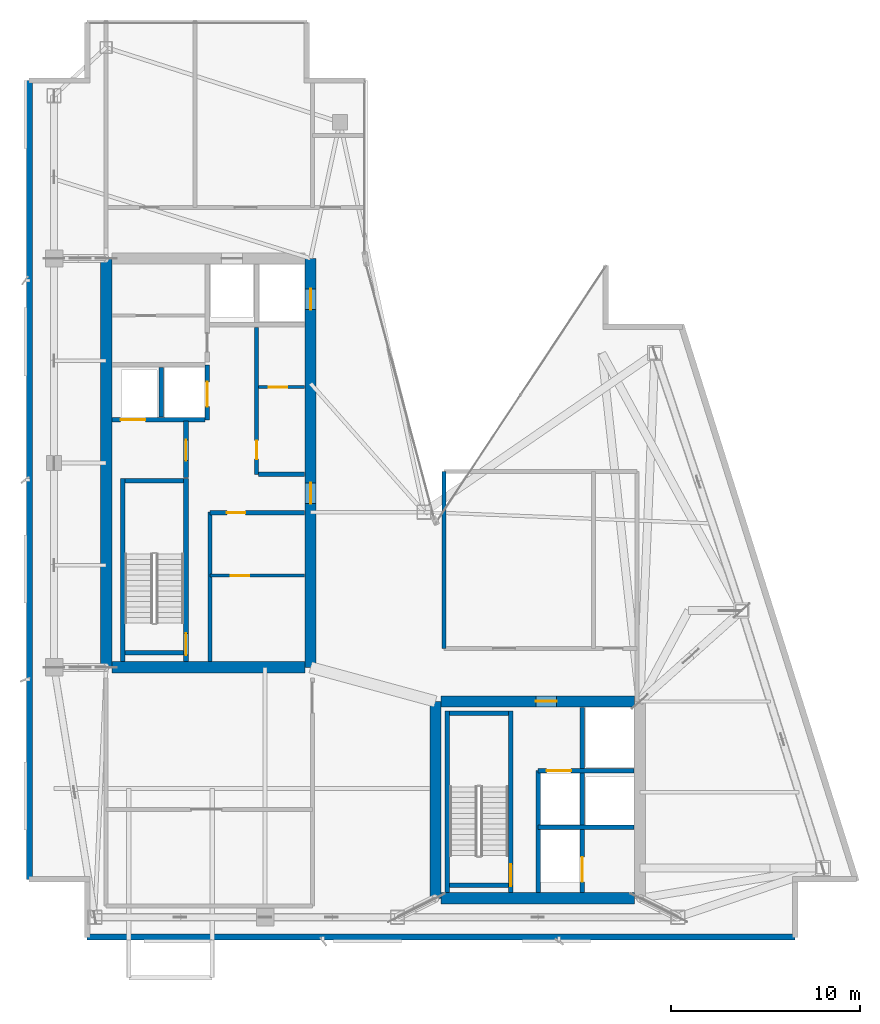
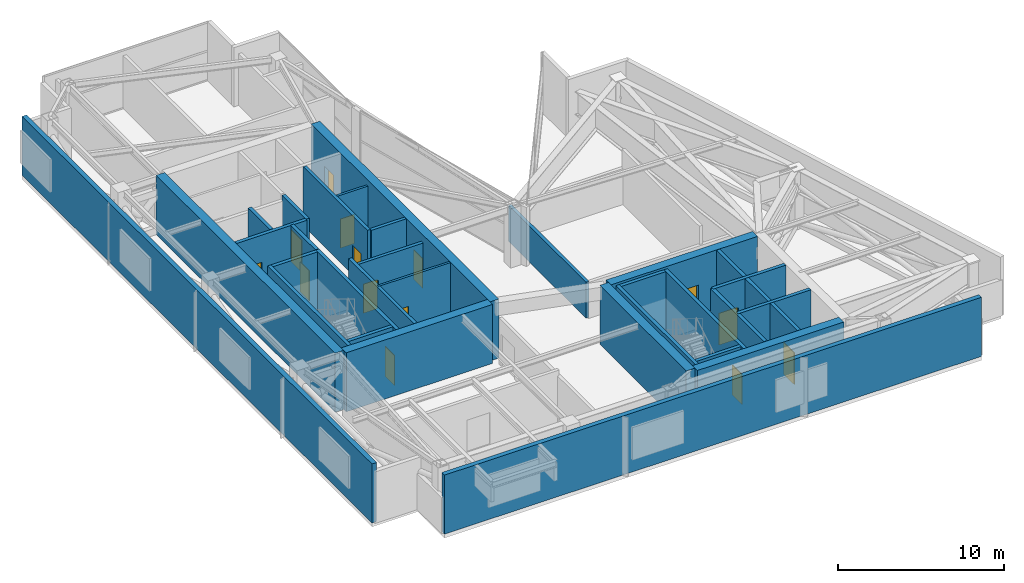
# One storey, part 12 of 15: 31 walls, 14 doors, 14 openings.
"""IFC4 building model written with IfcOpenShell, lengths in metres."""

import ifcopenshell
import ifcopenshell.guid

model = None  # the IFC model being written
_history = None  # IfcOwnerHistory: only IFC2X3 demands one
_inside = {}  # id of a spatial element -> (the spatial element, [elements in it])
_under = {}  # id of a project, library or spatial element -> (it, [spatial elements below it])
_declared = {}  # id of a project -> (the project, [libraries it declares])
_typed = {}  # id of a type object -> (the type object, [elements of that type])
_made_of = {}  # id of a material, layer set ... -> (it, [elements and type objects made of it])


def new_model(schema):
    """Start an empty IFC model of exactly this schema.

    Asked for "IFC4X3", IfcOpenShell would pick the latest addendum, in which some entities
    have other attributes; the version numbers below select the first issue.
    IFC2X3 requires an IfcOwnerHistory on every rooted entity: one is made here for all.
    """
    global model, _history
    if schema == "IFC4X3":
        model = ifcopenshell.file(schema_version=(4, 3, 0, 0))
    else:
        model = ifcopenshell.file(schema=schema)
    _inside.clear()
    _under.clear()
    _declared.clear()
    _typed.clear()
    _made_of.clear()
    _history = None
    if model.schema == "IFC2X3":
        org = make("IfcOrganization", Name="unknown")
        user = make(
            "IfcPersonAndOrganization",
            ThePerson=make("IfcPerson", FamilyName="unknown"),
            TheOrganization=org,
        )
        app = make(
            "IfcApplication",
            ApplicationDeveloper=org,
            Version="unknown",
            ApplicationFullName="unknown",
            ApplicationIdentifier="unknown",
        )
        _history = make(
            "IfcOwnerHistory",
            OwningUser=user,
            OwningApplication=app,
            ChangeAction="ADDED",
            CreationDate=0,
        )
    return model


def make(cls, **values):
    """One entity of the class cls with the attributes given. An attribute that is None is left unset."""
    return model.create_entity(
        cls, **{name: value for name, value in values.items() if value is not None}
    )


def rooted(cls, **values):
    """An entity with a GlobalId (a new one), such as an element, a storey or a relation."""
    return make(cls, GlobalId=ifcopenshell.guid.new(), OwnerHistory=_history, **values)


def si_unit(unit_type, name, prefix=None):
    """IfcSIUnit, for example si_unit("LENGTHUNIT", "METRE", prefix="MILLI")."""
    return make("IfcSIUnit", UnitType=unit_type, Prefix=prefix, Name=name)


def assignment(units):
    """IfcUnitAssignment: the units of a project."""
    return None if units is None else make("IfcUnitAssignment", Units=units)


def point(xyz):
    """IfcCartesianPoint."""
    return None if xyz is None else make("IfcCartesianPoint", Coordinates=xyz)


def direction(xyz):
    """IfcDirection."""
    return None if xyz is None else make("IfcDirection", DirectionRatios=xyz)


def frame(location, z_axis=None, x_axis=None):
    """IfcAxis2Placement3D, a coordinate frame: its origin and axes. An axis left out is left unset."""
    return make(
        "IfcAxis2Placement3D",
        Location=point(location),
        Axis=direction(z_axis),
        RefDirection=direction(x_axis),
    )


def frame_2d(location, x_axis=None):
    """IfcAxis2Placement2D, a coordinate frame in the plane: its origin and x axis."""
    return make(
        "IfcAxis2Placement2D", Location=point(location), RefDirection=direction(x_axis)
    )


def origin():
    """The frame at (0, 0, 0) with its axes left unset."""
    return frame((0.0, 0.0, 0.0))


def place(relative_to, where):
    """IfcLocalPlacement: puts the frame where relative to a parent placement (None: the world)."""
    return make(
        "IfcLocalPlacement", PlacementRelTo=relative_to, RelativePlacement=where
    )


def context(
    kind, dimensions, precision=None, world=None, true_north=None, identifier=None
):
    """IfcGeometricRepresentationContext, for example the 3D "Model" context."""
    return make(
        "IfcGeometricRepresentationContext",
        ContextIdentifier=identifier,
        ContextType=kind,
        CoordinateSpaceDimension=dimensions,
        Precision=precision,
        WorldCoordinateSystem=world,
        TrueNorth=true_north,
    )


def subcontext(parent, identifier, kind, view, scale=None):
    """IfcGeometricRepresentationSubContext, for example "Body" below "Model"."""
    return make(
        "IfcGeometricRepresentationSubContext",
        ContextIdentifier=identifier,
        ContextType=kind,
        ParentContext=parent,
        TargetScale=scale,
        TargetView=view,
    )


def project(units=None, contexts=None):
    """IfcProject with its units and contexts."""
    return rooted(
        "IfcProject",
        Name="project",
        RepresentationContexts=contexts,
        UnitsInContext=assignment(units),
    )


def spatial(cls, under=None, at=None, **own):
    """A site, building, storey or space (cls), placed at a placement, below another one or the project."""
    s = rooted(cls, ObjectPlacement=at, **own)
    if under is not None:
        _under.setdefault(under.id(), (under, []))[1].append(s)
    return s


def profile(cls, at=None, kind="AREA", **sizes):
    """A parametric profile (cls). Its sizes go by their IFC names, for example OverallWidth=200.0."""
    return make(cls, ProfileType=kind, Position=at, **sizes)


def rectangle(**sizes):
    """IfcRectangleProfileDef."""
    return profile("IfcRectangleProfileDef", **sizes)


def extrude(swept, where, along, depth):
    """IfcExtrudedAreaSolid: the profile swept, set in the frame where, extruded along a direction by depth."""
    return make(
        "IfcExtrudedAreaSolid",
        SweptArea=swept,
        Position=where,
        ExtrudedDirection=direction(along),
        Depth=depth,
    )


def shape(context_of_items, identifier, shape_type, items):
    """IfcShapeRepresentation: the items that make up one representation, for example the "Body"."""
    return make(
        "IfcShapeRepresentation",
        ContextOfItems=context_of_items,
        RepresentationIdentifier=identifier,
        RepresentationType=shape_type,
        Items=items,
    )


def material(Name=None, Category=None):
    """IfcMaterial."""
    return make("IfcMaterial", Name=Name, Category=Category)


def layer(
    of_material, thickness, ventilated=None, Name=None, Category=None, Priority=None
):
    """IfcMaterialLayer: one layer of a wall or slab, of a material (None: an air gap)."""
    return make(
        "IfcMaterialLayer",
        Material=of_material,
        LayerThickness=thickness,
        IsVentilated=ventilated,
        Name=Name,
        Category=Category,
        Priority=Priority,
    )


def layer_set(layers, Name=None):
    """IfcMaterialLayerSet."""
    return make("IfcMaterialLayerSet", MaterialLayers=layers, LayerSetName=Name)


def made_of(thing, what):
    """Note that an element or type object is made of a material, layer set ...; save() writes the relation."""
    if what is not None:
        _made_of.setdefault(what.id(), (what, []))[1].append(thing)
    return thing


def type_object(cls, material=None, **own):
    """A type object (cls), such as IfcWallType, which elements share."""
    return made_of(rooted(cls, **own), material)


def element(
    cls,
    number,
    at=None,
    inside=None,
    cuts=None,
    type_object=None,
    material=None,
    context=None,
    identifier="Body",
    shape_type=None,
    held_by="IfcProductDefinitionShape",
    body=None,
    shapes=None,
    **own,
):
    """One element of the class cls, such as IfcWall. Its Tag is "e" and its number.

    at: its placement. inside: the storey or other place that contains it. cuts: it is an
    opening in that element (IfcRelVoidsElement). A single representation is given by context,
    identifier, shape_type and body (its items); several are given by shapes. held_by: the class
    of the entity that holds the representations. save() writes the other relations.
    """
    e = rooted(cls, Tag="e%d" % number, ObjectPlacement=at, **own)
    if body is not None:
        shapes = [shape(context, identifier, shape_type, body)]
    if shapes is not None:
        e.Representation = make(held_by, Representations=shapes)
    if inside is not None:
        _inside.setdefault(inside.id(), (inside, []))[1].append(e)
    if cuts is not None:
        rooted(
            "IfcRelVoidsElement", RelatingBuildingElement=cuts, RelatedOpeningElement=e
        )
    if type_object is not None:
        _typed.setdefault(type_object.id(), (type_object, []))[1].append(e)
    return made_of(e, material)


def fill(opening, filler):
    """IfcRelFillsElement: the door or window that sits in an opening."""
    return rooted(
        "IfcRelFillsElement",
        RelatingOpeningElement=opening,
        RelatedBuildingElement=filler,
    )


def aggregate(whole, parts):
    """IfcRelAggregates: a whole, such as a stair, and the parts it consists of."""
    return rooted("IfcRelAggregates", RelatingObject=whole, RelatedObjects=parts)


def save(model, path):
    """Write the relations noted so far, then the file.

    IfcRelAggregates (storeys below a building ...), IfcRelContainedInSpatialStructure (elements
    in a storey), IfcRelDefinesByType, IfcRelAssociatesMaterial and IfcRelDeclares: one each for
    every whole, place, type object, material and project.
    """
    for whole, parts in _under.values():
        aggregate(whole, parts)
    for where, things in _inside.values():
        rooted(
            "IfcRelContainedInSpatialStructure",
            RelatedElements=things,
            RelatingStructure=where,
        )
    for kind, things in _typed.values():
        rooted("IfcRelDefinesByType", RelatedObjects=things, RelatingType=kind)
    for what, things in _made_of.values():
        rooted("IfcRelAssociatesMaterial", RelatedObjects=things, RelatingMaterial=what)
    for by, libraries in _declared.values():
        rooted("IfcRelDeclares", RelatingContext=by, RelatedDefinitions=libraries)
    model.write(path)


model = new_model("IFC4")

# Units and contexts
model_context = context("Model", 3, precision=1e-05, world=origin(), true_north=direction((0.0, 1.0)))
body_context = subcontext(model_context, "Body", "Model", "MODEL_VIEW")
ifc_project = project(units=[si_unit("LENGTHUNIT", "METRE"), si_unit("AREAUNIT", "SQUARE_METRE"), si_unit("VOLUMEUNIT", "CUBIC_METRE"), si_unit("PLANEANGLEUNIT", "RADIAN"), si_unit("MASSUNIT", "GRAM", prefix="KILO")], contexts=[model_context])

# Site, building, storey
site_placement = place(None, origin())
site = spatial("IfcSite", under=ifc_project, at=site_placement, CompositionType="ELEMENT")
building_placement = place(site_placement, origin())
building = spatial("IfcBuilding", under=site, at=building_placement, Name="Calvorn Quay Hotel", CompositionType="ELEMENT")
storey_placement = place(building_placement, frame((0.0, 0.0, 282.5)))
storey = spatial("IfcBuildingStorey", under=building, at=storey_placement, Name="L70", CompositionType="ELEMENT", Elevation=282.5)

# Wall
ifc_material_1 = material(Name="Concrete C45", Category="concrete")
ifc_layer_1 = layer(ifc_material_1, 0.60009765625)
ifc_layer_set_1 = layer_set([ifc_layer_1], Name="WL-CORE-600")
wall_type_1 = type_object("IfcWallType", Name="WL-CORE-600", PredefinedType="SHEAR", material=ifc_layer_set_1)
wall_1_placement = place(storey_placement, frame((4.199951171875, 16.800048828125, 0.0), z_axis=(0.0, 0.0, 1.0), x_axis=(0.0, 1.0, 0.0)))
element("IfcWall", 1, at=wall_1_placement, inside=storey, type_object=wall_type_1, Name="West Core Shear Wall W (L70)", PredefinedType="SHEAR", context=body_context, shape_type="SweptSolid", body=[
    extrude(rectangle(XDim=21.599853515625, YDim=0.60009765625, at=frame_2d((10.7998046875, 0.0))), origin(), (0.0, 0.0, 1.0), 4.35009765625),
])

# Wall, openings, doors
wall_2_placement = place(storey_placement, frame((15.0, 16.800048828125, 0.0), z_axis=(0.0, 0.0, 1.0), x_axis=(0.0, 1.0, 0.0)))
wall_2 = element("IfcWall", 2, at=wall_2_placement, inside=storey, type_object=wall_type_1, Name="West Core Shear Wall E (L70)", PredefinedType="SHEAR", context=body_context, shape_type="SweptSolid", body=[
    extrude(rectangle(XDim=21.599853515625, YDim=0.60009765625, at=frame_2d((10.7998046875, 0.0))), origin(), (0.0, 0.0, 1.0), 4.35009765625),
])
opening_1_placement = place(wall_2_placement, frame((8.64990234375, 0.0, 0.0)))
opening_1 = element("IfcOpeningElement", 3, at=opening_1_placement, cuts=wall_2, Name="Opening D-L70-CW1", PredefinedType="OPENING", context=body_context, shape_type="SweptSolid", body=[
    extrude(rectangle(XDim=1.10009765625, YDim=2.199951171875, at=frame_2d((0.550048828125, 1.10009765625))), frame((0.0, 0.31005859375, 0.0), z_axis=(0.0, -1.0, 0.0), x_axis=(1.0, 0.0, 0.0)), (0.0, 0.0, 1.0), 0.6201171875),
])
opening_2_placement = place(wall_2_placement, frame((18.89990234375, 0.0, 0.0)))
opening_2 = element("IfcOpeningElement", 4, at=opening_2_placement, cuts=wall_2, Name="Opening LD-L70-H1", PredefinedType="OPENING", context=body_context, shape_type="SweptSolid", body=[
    extrude(rectangle(XDim=1.10009765625, YDim=2.199951171875, at=frame_2d((0.550048828125, 1.10009765625))), frame((0.0, 0.31005859375, 0.0), z_axis=(0.0, -1.0, 0.0), x_axis=(1.0, 0.0, 0.0)), (0.0, 0.0, 1.0), 0.6201171875),
])
ifc_material_2 = material(Name="Smoke-Sealed Steel Class A Fire Door", Category="steel")
door_type_1 = type_object("IfcDoorType", Name="DR-FFLOBBY-1100", OperationType="NOTDEFINED", PredefinedType="DOOR", material=ifc_material_2)
door_1_placement = place(opening_1_placement, origin())
door_1 = element("IfcDoor", 5, at=door_1_placement, inside=storey, type_object=door_type_1, Name="West Core Vestibule Fire Door (L70)", OperationType="SINGLE_SWING_LEFT", OverallHeight=2.199951171875, OverallWidth=1.10009765625, PredefinedType="DOOR", context=body_context, shape_type="SweptSolid", body=[
    extrude(rectangle(XDim=1.10009765625, YDim=2.199951171875, at=frame_2d((0.550048828125, 1.10009765625))), frame((0.0, 0.02490234375, 0.0), z_axis=(0.0, -1.0, 0.0), x_axis=(1.0, 0.0, 0.0)), (0.0, 0.0, 1.0), 0.050048828125),
])
fill(opening_1, door_1)
ifc_material_3 = material(Name="Brushed Stainless Steel Sliding Lift Landing Door", Category="steel")
door_type_2 = type_object("IfcDoorType", Name="DR-LIFT-PASS-1100", OperationType="NOTDEFINED", PredefinedType="DOOR", material=ifc_material_3)
door_2_placement = place(opening_2_placement, origin())
door_2 = element("IfcDoor", 6, at=door_2_placement, inside=storey, type_object=door_type_2, Name="High-Rise Lift PL-H1 Landing Door (L70)", OperationType="DOUBLE_DOOR_SLIDING", OverallHeight=2.199951171875, OverallWidth=1.10009765625, PredefinedType="DOOR", context=body_context, shape_type="SweptSolid", body=[
    extrude(rectangle(XDim=1.10009765625, YDim=2.199951171875, at=frame_2d((0.550048828125, 1.10009765625))), frame((0.0, 0.02490234375, 0.0), z_axis=(0.0, -1.0, 0.0), x_axis=(1.0, 0.0, 0.0)), (0.0, 0.0, 1.0), 0.050048828125),
])
fill(opening_2, door_2)

# Walls
wall_3_placement = place(storey_placement, frame((4.5, 16.800048828125, 0.0), z_axis=(0.0, 0.0, 1.0), x_axis=(1.0, 0.0, 0.0)))
element("IfcWall", 7, at=wall_3_placement, inside=storey, type_object=wall_type_1, Name="West Core Shear Wall S (L70)", PredefinedType="SHEAR", context=body_context, shape_type="SweptSolid", body=[
    extrude(rectangle(XDim=10.199951171875, YDim=0.60009765625, at=frame_2d((5.10009765625, 0.0))), origin(), (0.0, 0.0, 1.0), 4.35009765625),
])
wall_4_placement = place(storey_placement, frame((21.60009765625, 4.60009765625, 0.0), z_axis=(0.0, 0.0, 1.0), x_axis=(0.0, 1.0, 0.0)))
element("IfcWall", 8, at=wall_4_placement, inside=storey, type_object=wall_type_1, Name="East Core Shear Wall W (L70)", PredefinedType="SHEAR", context=body_context, shape_type="SweptSolid", body=[
    extrude(rectangle(XDim=10.39990234375, YDim=0.60009765625, at=frame_2d((5.199951171875, 0.0))), origin(), (0.0, 0.0, 1.0), 4.35009765625),
])

# Wall, opening, door
wall_5_placement = place(storey_placement, frame((21.89990234375, 15.0, 0.0), z_axis=(0.0, 0.0, 1.0), x_axis=(1.0, 0.0, 0.0)))
wall_5 = element("IfcWall", 9, at=wall_5_placement, inside=storey, type_object=wall_type_1, Name="East Core Shear Wall N (L70)", PredefinedType="SHEAR", context=body_context, shape_type="SweptSolid", body=[
    extrude(rectangle(XDim=10.2001953125, YDim=0.60009765625, at=frame_2d((5.10009765625, 0.0))), origin(), (0.0, 0.0, 1.0), 4.35009765625),
])
opening_3_placement = place(wall_5_placement, frame((5.0, 0.0, 0.0)))
opening_3 = element("IfcOpeningElement", 10, at=opening_3_placement, cuts=wall_5, Name="Opening D-L70-FLE", PredefinedType="OPENING", context=body_context, shape_type="SweptSolid", body=[
    extrude(rectangle(XDim=1.10009765625, YDim=2.199951171875, at=frame_2d((0.550048828125, 1.10009765625))), frame((0.0, 0.31005859375, 0.0), z_axis=(0.0, -1.0, 0.0), x_axis=(1.0, 0.0, 0.0)), (0.0, 0.0, 1.0), 0.6201171875),
])
door_3_placement = place(opening_3_placement, origin())
door_3 = element("IfcDoor", 11, at=door_3_placement, inside=storey, type_object=door_type_1, Name="East Firefighting Lobby Fire Door (L70)", OperationType="SINGLE_SWING_RIGHT", OverallHeight=2.199951171875, OverallWidth=1.10009765625, PredefinedType="DOOR", context=body_context, shape_type="SweptSolid", body=[
    extrude(rectangle(XDim=1.10009765625, YDim=2.199951171875, at=frame_2d((0.550048828125, 1.10009765625))), frame((0.0, 0.02490234375, 0.0), z_axis=(0.0, -1.0, 0.0), x_axis=(1.0, 0.0, 0.0)), (0.0, 0.0, 1.0), 0.050048828125),
])
fill(opening_3, door_3)

# Walls
wall_6_placement = place(storey_placement, frame((21.89990234375, 4.60009765625, 0.0), z_axis=(0.0, 0.0, 1.0), x_axis=(1.0, 0.0, 0.0)))
element("IfcWall", 12, at=wall_6_placement, inside=storey, type_object=wall_type_1, Name="East Core Shear Wall S (L70)", PredefinedType="SHEAR", context=body_context, shape_type="SweptSolid", body=[
    extrude(rectangle(XDim=10.2001953125, YDim=0.60009765625, at=frame_2d((5.10009765625, 0.0))), origin(), (0.0, 0.0, 1.0), 4.35009765625),
])
ifc_material_4 = material(Name="Concrete C40", Category="concrete")
ifc_layer_2 = layer(ifc_material_4, 0.320068359375)
ifc_layer_set_2 = layer_set([ifc_layer_2], Name="WL-EXT-SPANDREL-320")
wall_type_2 = type_object("IfcWallType", Name="WL-EXT-SPANDREL-320", PredefinedType="SOLIDWALL", material=ifc_layer_set_2)
wall_7_placement = place(storey_placement, frame((0.159912109375, 5.60009765625, 0.0), z_axis=(0.0, 0.0, 1.0), x_axis=(0.0, 1.0, 0.0)))
element("IfcWall", 13, at=wall_7_placement, inside=storey, type_object=wall_type_2, Name="Refuge Mechanical Louvre Spandrel Wall West (L70)", PredefinedType="SOLIDWALL", context=body_context, shape_type="SweptSolid", body=[
    extrude(rectangle(XDim=42.199951171875, YDim=0.320068359375, at=frame_2d((21.10009765625, 0.0))), origin(), (0.0, 0.0, 1.0), 4.35009765625),
])
wall_8_placement = place(storey_placement, frame((3.199951171875, 2.56005859375, 0.0), z_axis=(0.0, 0.0, 1.0), x_axis=(1.0, 0.0, 0.0)))
element("IfcWall", 14, at=wall_8_placement, inside=storey, type_object=wall_type_2, Name="Refuge Mechanical Louvre Spandrel Wall South (L70)", PredefinedType="SOLIDWALL", context=body_context, shape_type="SweptSolid", body=[
    extrude(rectangle(XDim=37.400146484375, YDim=0.320068359375, at=frame_2d((18.7001953125, 0.0))), origin(), (0.0, 0.0, 1.0), 4.35009765625),
])

# Wall, opening, door
ifc_material_5 = material(Name="Double-Stud Acoustic Gypsum Partition")
ifc_layer_3 = layer(ifc_material_5, 0.159912109375)
ifc_layer_set_3 = layer_set([ifc_layer_3], Name="WL-INTERSUITE-160")
wall_type_3 = type_object("IfcWallType", Name="WL-INTERSUITE-160", PredefinedType="PARTITIONING", material=ifc_layer_set_3)
wall_9_placement = place(storey_placement, frame((9.679931640625, 21.64990234375, 0.0), z_axis=(0.0, 0.0, 1.0), x_axis=(1.0, 0.0, 0.0)))
wall_9 = element("IfcWall", 15, at=wall_9_placement, inside=storey, type_object=wall_type_3, Name="Partition Wall L70-WL-CWW-FR-SPLIT", PredefinedType="PARTITIONING", context=body_context, shape_type="SweptSolid", body=[
    extrude(rectangle(XDim=5.0, YDim=0.159912109375, at=frame_2d((2.5, 0.0))), origin(), (0.0, 0.0, 1.0), 4.35009765625),
])
opening_4_placement = place(wall_9_placement, frame((1.10009765625, 0.0, 0.0)))
opening_4 = element("IfcOpeningElement", 16, at=opening_4_placement, cuts=wall_9, Name="Opening D-L70-FRL1", PredefinedType="OPENING", context=body_context, shape_type="SweptSolid", body=[
    extrude(rectangle(XDim=0.97998046875, YDim=2.14990234375, at=frame_2d((0.489990234375, 1.074951171875))), frame((0.0, 0.08984375, 0.0), z_axis=(0.0, -1.0, 0.0), x_axis=(1.0, 0.0, 0.0)), (0.0, 0.0, 1.0), 0.179931640625),
])
ifc_material_6 = material(Name="Painted Steel Housekeeping/Riser Fire Door", Category="steel")
door_type_3 = type_object("IfcDoorType", Name="DR-SERVICE-980", OperationType="NOTDEFINED", PredefinedType="DOOR", material=ifc_material_6)
door_4_placement = place(opening_4_placement, origin())
door_4 = element("IfcDoor", 17, at=door_4_placement, inside=storey, type_object=door_type_3, Name="Linen Store Room Door (L70)", OperationType="SINGLE_SWING_LEFT", OverallHeight=2.14990234375, OverallWidth=0.97998046875, PredefinedType="DOOR", context=body_context, shape_type="SweptSolid", body=[
    extrude(rectangle(XDim=0.97998046875, YDim=2.14990234375, at=frame_2d((0.489990234375, 1.074951171875))), frame((0.0, 0.02490234375, 0.0), z_axis=(0.0, -1.0, 0.0), x_axis=(1.0, 0.0, 0.0)), (0.0, 0.0, 1.0), 0.050048828125),
])
fill(opening_4, door_4)

wall_10_placement = place(storey_placement, frame((12.25, 31.60009765625, 0.0), z_axis=(0.0, 0.0, 1.0), x_axis=(1.0, 0.0, 0.0)))
wall_10 = element("IfcWall", 18, at=wall_10_placement, inside=storey, type_object=wall_type_3, Name="Partition Wall L70-WL-CWW-FM-SPLIT", PredefinedType="PARTITIONING", context=body_context, shape_type="SweptSolid", body=[
    extrude(rectangle(XDim=2.429931640625, YDim=0.159912109375, at=frame_2d((1.21484375, 0.0))), origin(), (0.0, 0.0, 1.0), 3.949951171875),
])
opening_5_placement = place(wall_10_placement, frame((0.550048828125, 0.0, 0.0)))
opening_5 = element("IfcOpeningElement", 19, at=opening_5_placement, cuts=wall_10, Name="Opening D-L70-FM2", PredefinedType="OPENING", context=body_context, shape_type="SweptSolid", body=[
    extrude(rectangle(XDim=0.97998046875, YDim=2.14990234375, at=frame_2d((0.489990234375, 1.074951171875))), frame((0.0, 0.08984375, 0.0), z_axis=(0.0, -1.0, 0.0), x_axis=(1.0, 0.0, 0.0)), (0.0, 0.0, 1.0), 0.179931640625),
])
door_5_placement = place(opening_5_placement, origin())
door_5 = element("IfcDoor", 20, at=door_5_placement, inside=storey, type_object=door_type_3, Name="Comms Room Door (L70)", OperationType="SINGLE_SWING_LEFT", OverallHeight=2.14990234375, OverallWidth=0.97998046875, PredefinedType="DOOR", context=body_context, shape_type="SweptSolid", body=[
    extrude(rectangle(XDim=0.97998046875, YDim=2.14990234375, at=frame_2d((0.489990234375, 1.074951171875))), frame((0.0, 0.02490234375, 0.0), z_axis=(0.0, -1.0, 0.0), x_axis=(1.0, 0.0, 0.0)), (0.0, 0.0, 1.0), 0.050048828125),
])
fill(opening_5, door_5)

# Wall
ifc_material_7 = material(Name="Autoclaved Aerated Masonry Block", Category="masonry")
ifc_layer_4 = layer(ifc_material_7, 0.219970703125)
ifc_layer_set_4 = layer_set([ifc_layer_4], Name="WL-LOBBY-FIRE-220")
wall_type_4 = type_object("IfcWallType", Name="WL-LOBBY-FIRE-220", PredefinedType="SOLIDWALL", material=ifc_layer_set_4)
wall_11_placement = place(storey_placement, frame((9.679931640625, 17.1201171875, 0.0), z_axis=(0.0, 0.0, 1.0), x_axis=(0.0, 1.0, 0.0)))
element("IfcWall", 21, at=wall_11_placement, inside=storey, type_object=wall_type_4, Name="Partition Wall L70-WL-CWW-STW-HALL-E", PredefinedType="SOLIDWALL", context=body_context, shape_type="SweptSolid", body=[
    extrude(rectangle(XDim=7.8798828125, YDim=0.219970703125, at=frame_2d((3.93994140625, 0.0))), origin(), (0.0, 0.0, 1.0), 4.35009765625),
])

# Wall, opening, door
wall_12_placement = place(storey_placement, frame((9.679931640625, 24.969970703125, 0.0), z_axis=(0.0, 0.0, 1.0), x_axis=(1.0, 0.0, 0.0)))
wall_12 = element("IfcWall", 22, at=wall_12_placement, inside=storey, type_object=wall_type_4, Name="Partition Wall L70-WL-CWW-FR-N", PredefinedType="SOLIDWALL", context=body_context, shape_type="SweptSolid", body=[
    extrude(rectangle(XDim=5.0, YDim=0.219970703125, at=frame_2d((2.5, 0.0))), origin(), (0.0, 0.0, 1.0), 3.800048828125),
])
opening_6_placement = place(wall_12_placement, frame((0.89990234375, 0.0, 0.0)))
opening_6 = element("IfcOpeningElement", 23, at=opening_6_placement, cuts=wall_12, Name="Opening D-L70-FRL2", PredefinedType="OPENING", context=body_context, shape_type="SweptSolid", body=[
    extrude(rectangle(XDim=0.97998046875, YDim=2.14990234375, at=frame_2d((0.489990234375, 1.074951171875))), frame((0.0, 0.119873046875, 0.0), z_axis=(0.0, -1.0, 0.0), x_axis=(1.0, 0.0, 0.0)), (0.0, 0.0, 1.0), 0.239990234375),
])
door_6_placement = place(opening_6_placement, origin())
door_6 = element("IfcDoor", 24, at=door_6_placement, inside=storey, type_object=door_type_3, Name="Beverage Pantry Door (L70)", OperationType="SINGLE_SWING_RIGHT", OverallHeight=2.14990234375, OverallWidth=0.97998046875, PredefinedType="DOOR", context=body_context, shape_type="SweptSolid", body=[
    extrude(rectangle(XDim=0.97998046875, YDim=2.14990234375, at=frame_2d((0.489990234375, 1.074951171875))), frame((0.0, 0.02490234375, 0.0), z_axis=(0.0, -1.0, 0.0), x_axis=(1.0, 0.0, 0.0)), (0.0, 0.0, 1.0), 0.050048828125),
])
fill(opening_6, door_6)

# Wall
wall_13_placement = place(storey_placement, frame((12.25, 27.0, 0.0), z_axis=(0.0, 0.0, 1.0), x_axis=(1.0, 0.0, 0.0)))
element("IfcWall", 25, at=wall_13_placement, inside=storey, type_object=wall_type_4, Name="Partition Wall L70-WL-CWW-FM-S", PredefinedType="SOLIDWALL", context=body_context, shape_type="SweptSolid", body=[
    extrude(rectangle(XDim=2.429931640625, YDim=0.219970703125, at=frame_2d((1.21484375, 0.0))), origin(), (0.0, 0.0, 1.0), 4.35009765625),
])

# Wall, opening, door
wall_14_placement = place(storey_placement, frame((12.14990234375, 27.0, 0.0), z_axis=(0.0, 0.0, 1.0), x_axis=(0.0, 1.0, 0.0)))
wall_14 = element("IfcWall", 26, at=wall_14_placement, inside=storey, type_object=wall_type_4, Name="Partition Wall L70-WL-CWW-FM-W", PredefinedType="SOLIDWALL", context=body_context, shape_type="SweptSolid", body=[
    extrude(rectangle(XDim=7.75, YDim=0.219970703125, at=frame_2d((3.875, 0.0))), origin(), (0.0, 0.0, 1.0), 4.35009765625),
])
opening_7_placement = place(wall_14_placement, frame((0.800048828125, 0.0, 0.0)))
opening_7 = element("IfcOpeningElement", 27, at=opening_7_placement, cuts=wall_14, Name="Opening D-L70-FM1", PredefinedType="OPENING", context=body_context, shape_type="SweptSolid", body=[
    extrude(rectangle(XDim=0.97998046875, YDim=2.14990234375, at=frame_2d((0.489990234375, 1.074951171875))), frame((0.0, 0.119873046875, 0.0), z_axis=(0.0, -1.0, 0.0), x_axis=(1.0, 0.0, 0.0)), (0.0, 0.0, 1.0), 0.239990234375),
])
door_7_placement = place(opening_7_placement, origin())
door_7 = element("IfcDoor", 28, at=door_7_placement, inside=storey, type_object=door_type_3, Name="Butler Pantry Door (L70)", OperationType="SINGLE_SWING_RIGHT", OverallHeight=2.14990234375, OverallWidth=0.97998046875, PredefinedType="DOOR", context=body_context, shape_type="SweptSolid", body=[
    extrude(rectangle(XDim=0.97998046875, YDim=2.14990234375, at=frame_2d((0.489990234375, 1.074951171875))), frame((0.0, 0.02490234375, 0.0), z_axis=(0.0, -1.0, 0.0), x_axis=(1.0, 0.0, 0.0)), (0.0, 0.0, 1.0), 0.050048828125),
])
fill(opening_7, door_7)

# Walls
wall_15_placement = place(storey_placement, frame((22.050048828125, 17.800048828125, 0.0), z_axis=(0.0, 0.0, 1.0), x_axis=(0.0, 1.0, 0.0)))
element("IfcWall", 29, at=wall_15_placement, inside=storey, type_object=wall_type_4, Name="Partition Wall L70-WL-RF-C-W", PredefinedType="SOLIDWALL", context=body_context, shape_type="SweptSolid", body=[
    extrude(rectangle(XDim=9.349853515625, YDim=0.219970703125, at=frame_2d((4.6748046875, 0.0))), origin(), (0.0, 0.0, 1.0), 2.64990234375),
])
ifc_material_8 = material(Name="Concrete C40", Category="concrete")
ifc_layer_5 = layer(ifc_material_8, 0.239990234375)
ifc_layer_set_5 = layer_set([ifc_layer_5], Name="WL-SHAFT-240")
wall_type_5 = type_object("IfcWallType", Name="WL-SHAFT-240", PredefinedType="SOLIDWALL", material=ifc_layer_set_5)
wall_16_placement = place(storey_placement, frame((5.080078125, 17.10009765625, 0.0), z_axis=(0.0, 0.0, 1.0), x_axis=(0.0, 1.0, 0.0)))
element("IfcWall", 30, at=wall_16_placement, inside=storey, type_object=wall_type_5, Name="Stair STW Shaft Wall W (L70)", PredefinedType="SOLIDWALL", context=body_context, shape_type="SweptSolid", body=[
    extrude(rectangle(XDim=9.68994140625, YDim=0.239990234375, at=frame_2d((4.844970703125, 0.0))), origin(), (0.0, 0.0, 1.0), 4.35009765625),
])

# Wall, opening, door
wall_17_placement = place(storey_placement, frame((8.419921875, 17.10009765625, 0.0), z_axis=(0.0, 0.0, 1.0), x_axis=(0.0, 1.0, 0.0)))
wall_17 = element("IfcWall", 31, at=wall_17_placement, inside=storey, type_object=wall_type_5, Name="Stair STW Shaft Wall E (L70)", PredefinedType="SOLIDWALL", context=body_context, shape_type="SweptSolid", body=[
    extrude(rectangle(XDim=9.68994140625, YDim=0.239990234375, at=frame_2d((4.844970703125, 0.0))), origin(), (0.0, 0.0, 1.0), 4.35009765625),
])
opening_8_placement = place(wall_17_placement, frame((0.35009765625, 0.0, 0.0)))
opening_8 = element("IfcOpeningElement", 32, at=opening_8_placement, cuts=wall_17, Name="Opening D-L70-STW", PredefinedType="OPENING", context=body_context, shape_type="SweptSolid", body=[
    extrude(rectangle(XDim=1.14990234375, YDim=2.199951171875, at=frame_2d((0.574951171875, 1.10009765625))), frame((0.0, 0.1298828125, 0.0), z_axis=(0.0, -1.0, 0.0), x_axis=(1.0, 0.0, 0.0)), (0.0, 0.0, 1.0), 0.260009765625),
])
ifc_material_9 = material(Name="Galvanised Steel Class A Fire Door", Category="steel")
door_type_4 = type_object("IfcDoorType", Name="DR-STAIR-SMOKE-1150", OperationType="NOTDEFINED", PredefinedType="DOOR", material=ifc_material_9)
door_8_placement = place(opening_8_placement, origin())
door_8 = element("IfcDoor", 33, at=door_8_placement, inside=storey, type_object=door_type_4, Name="Stair ST-W Fire Door (L70)", OperationType="SINGLE_SWING_LEFT", OverallHeight=2.199951171875, OverallWidth=1.14990234375, PredefinedType="DOOR", context=body_context, shape_type="SweptSolid", body=[
    extrude(rectangle(XDim=1.14990234375, YDim=2.199951171875, at=frame_2d((0.574951171875, 1.10009765625))), frame((0.0, 0.02490234375, 0.0), z_axis=(0.0, -1.0, 0.0), x_axis=(1.0, 0.0, 0.0)), (0.0, 0.0, 1.0), 0.050048828125),
])
fill(opening_8, door_8)

# Walls
for number, where, z_axis, x_axis, name in (
    (34, (5.199951171875, 17.580078125, 0.0), (0.0, 0.0, 1.0), (1.0, 0.0, 0.0), "Stair STW Shaft Wall S (L70)"),
    (35, (5.199951171875, 26.669921875, 0.0), (0.0, 0.0, 1.0), (1.0, 0.0, 0.0), "Stair STW Shaft Wall N (L70)"),
):
    element("IfcWall", number, at=place(storey_placement, frame(where, z_axis=z_axis, x_axis=x_axis)), inside=storey, type_object=wall_type_5, Name=name, PredefinedType="SOLIDWALL", context=body_context, shape_type="SweptSolid", body=[
        extrude(rectangle(XDim=3.10009765625, YDim=0.239990234375, at=frame_2d((1.550048828125, 0.0))), origin(), (0.0, 0.0, 1.0), 4.35009765625),
    ])
wall_18_placement = place(storey_placement, frame((22.22998046875, 4.89990234375, 0.0), z_axis=(0.0, 0.0, 1.0), x_axis=(0.0, 1.0, 0.0)))
element("IfcWall", 36, at=wall_18_placement, inside=storey, type_object=wall_type_5, Name="Stair STE Shaft Wall W (L70)", PredefinedType="SOLIDWALL", context=body_context, shape_type="SweptSolid", body=[
    extrude(rectangle(XDim=9.590087890625, YDim=0.239990234375, at=frame_2d((4.794921875, 0.0))), origin(), (0.0, 0.0, 1.0), 4.35009765625),
])

# Wall, opening, door
wall_19_placement = place(storey_placement, frame((25.570068359375, 4.89990234375, 0.0), z_axis=(0.0, 0.0, 1.0), x_axis=(0.0, 1.0, 0.0)))
wall_19 = element("IfcWall", 37, at=wall_19_placement, inside=storey, type_object=wall_type_5, Name="Stair STE Shaft Wall E (L70)", PredefinedType="SOLIDWALL", context=body_context, shape_type="SweptSolid", body=[
    extrude(rectangle(XDim=9.590087890625, YDim=0.239990234375, at=frame_2d((4.794921875, 0.0))), origin(), (0.0, 0.0, 1.0), 4.35009765625),
])
opening_9_placement = place(wall_19_placement, frame((0.35009765625, 0.0, 0.0)))
opening_9 = element("IfcOpeningElement", 38, at=opening_9_placement, cuts=wall_19, Name="Opening D-L70-STE", PredefinedType="OPENING", context=body_context, shape_type="SweptSolid", body=[
    extrude(rectangle(XDim=1.14990234375, YDim=2.199951171875, at=frame_2d((0.574951171875, 1.10009765625))), frame((0.0, 0.1298828125, 0.0), z_axis=(0.0, -1.0, 0.0), x_axis=(1.0, 0.0, 0.0)), (0.0, 0.0, 1.0), 0.260009765625),
])
door_9_placement = place(opening_9_placement, origin())
door_9 = element("IfcDoor", 39, at=door_9_placement, inside=storey, type_object=door_type_4, Name="Stair ST-E Fire Door (L70)", OperationType="SINGLE_SWING_RIGHT", OverallHeight=2.199951171875, OverallWidth=1.14990234375, PredefinedType="DOOR", context=body_context, shape_type="SweptSolid", body=[
    extrude(rectangle(XDim=1.14990234375, YDim=2.199951171875, at=frame_2d((0.574951171875, 1.10009765625))), frame((0.0, 0.02490234375, 0.0), z_axis=(0.0, -1.0, 0.0), x_axis=(1.0, 0.0, 0.0)), (0.0, 0.0, 1.0), 0.050048828125),
])
fill(opening_9, door_9)

# Walls
for number, where, z_axis, x_axis, name in (
    (40, (22.35009765625, 5.280029296875, 0.0), (0.0, 0.0, 1.0), (1.0, 0.0, 0.0), "Stair STE Shaft Wall S (L70)"),
    (41, (22.35009765625, 14.3701171875, 0.0), (0.0, 0.0, 1.0), (1.0, 0.0, 0.0), "Stair STE Shaft Wall N (L70)"),
):
    element("IfcWall", number, at=place(storey_placement, frame(where, z_axis=z_axis, x_axis=x_axis)), inside=storey, type_object=wall_type_5, Name=name, PredefinedType="SOLIDWALL", context=body_context, shape_type="SweptSolid", body=[
        extrude(rectangle(XDim=3.099853515625, YDim=0.239990234375, at=frame_2d((1.5498046875, 0.0))), origin(), (0.0, 0.0, 1.0), 4.35009765625),
    ])

# Wall, opening, door
wall_20_placement = place(storey_placement, frame((8.419921875, 26.820068359375, 0.0), z_axis=(0.0, 0.0, 1.0), x_axis=(0.0, 1.0, 0.0)))
wall_20 = element("IfcWall", 42, at=wall_20_placement, inside=storey, type_object=wall_type_5, Name="Partition Wall L70-WL-CWW-FFL-E", PredefinedType="SOLIDWALL", context=body_context, shape_type="SweptSolid", body=[
    extrude(rectangle(XDim=3.0, YDim=0.239990234375, at=frame_2d((1.5, 0.0))), origin(), (0.0, 0.0, 1.0), 4.35009765625),
])
opening_10_placement = place(wall_20_placement, frame((0.89990234375, 0.0, 0.0)))
opening_10 = element("IfcOpeningElement", 43, at=opening_10_placement, cuts=wall_20, Name="Opening D-L70-FLW", PredefinedType="OPENING", context=body_context, shape_type="SweptSolid", body=[
    extrude(rectangle(XDim=1.10009765625, YDim=2.199951171875, at=frame_2d((0.550048828125, 1.10009765625))), frame((0.0, 0.1298828125, 0.0), z_axis=(0.0, -1.0, 0.0), x_axis=(1.0, 0.0, 0.0)), (0.0, 0.0, 1.0), 0.260009765625),
])
door_10_placement = place(opening_10_placement, origin())
door_10 = element("IfcDoor", 44, at=door_10_placement, inside=storey, type_object=door_type_1, Name="West Firefighting Lobby Fire Door (L70)", OperationType="SINGLE_SWING_RIGHT", OverallHeight=2.199951171875, OverallWidth=1.10009765625, PredefinedType="DOOR", context=body_context, shape_type="SweptSolid", body=[
    extrude(rectangle(XDim=1.10009765625, YDim=2.199951171875, at=frame_2d((0.550048828125, 1.10009765625))), frame((0.0, 0.02490234375, 0.0), z_axis=(0.0, -1.0, 0.0), x_axis=(1.0, 0.0, 0.0)), (0.0, 0.0, 1.0), 0.050048828125),
])
fill(opening_10, door_10)

wall_21_placement = place(storey_placement, frame((4.52001953125, 29.8798828125, 0.0), z_axis=(0.0, 0.0, 1.0), x_axis=(1.0, 0.0, 0.0)))
wall_21 = element("IfcWall", 45, at=wall_21_placement, inside=storey, type_object=wall_type_5, Name="Partition Wall L70-WL-CWW-FLW-S", PredefinedType="SOLIDWALL", context=body_context, shape_type="SweptSolid", body=[
    extrude(rectangle(XDim=4.89990234375, YDim=0.239990234375, at=frame_2d((2.449951171875, 0.0))), origin(), (0.0, 0.0, 1.0), 4.35009765625),
])
opening_11_placement = place(wall_21_placement, frame((0.449951171875, 0.0, 0.0)))
opening_11 = element("IfcOpeningElement", 46, at=opening_11_placement, cuts=wall_21, Name="Opening LD-L70-FLW1", PredefinedType="OPENING", context=body_context, shape_type="SweptSolid", body=[
    extrude(rectangle(XDim=1.300048828125, YDim=2.35009765625, at=frame_2d((0.64990234375, 1.175048828125))), frame((0.0, 0.1298828125, 0.0), z_axis=(0.0, -1.0, 0.0), x_axis=(1.0, 0.0, 0.0)), (0.0, 0.0, 1.0), 0.260009765625),
])
ifc_material_10 = material(Name="Champagne-Bronze Sliding Express Lift Landing Door")
door_type_5 = type_object("IfcDoorType", Name="DR-LIFT-SHUTTLE-1300", OperationType="NOTDEFINED", PredefinedType="DOOR", material=ifc_material_10)
door_11_placement = place(opening_11_placement, origin())
door_11 = element("IfcDoor", 47, at=door_11_placement, inside=storey, type_object=door_type_5, Name="Firefighting Lift FL-W1 Landing Door (L70)", OperationType="DOUBLE_DOOR_SLIDING", OverallHeight=2.35009765625, OverallWidth=1.300048828125, PredefinedType="DOOR", context=body_context, shape_type="SweptSolid", body=[
    extrude(rectangle(XDim=1.300048828125, YDim=2.35009765625, at=frame_2d((0.64990234375, 1.175048828125))), frame((0.0, 0.02490234375, 0.0), z_axis=(0.0, -1.0, 0.0), x_axis=(1.0, 0.0, 0.0)), (0.0, 0.0, 1.0), 0.050048828125),
])
fill(opening_11, door_11)

# Wall
wall_22_placement = place(storey_placement, frame((7.10009765625, 30.02001953125, 0.0), z_axis=(0.0, 0.0, 1.0), x_axis=(0.0, 1.0, 0.0)))
element("IfcWall", 48, at=wall_22_placement, inside=storey, type_object=wall_type_5, Name="Partition Wall L70-WL-CWW-FLW-DIV", PredefinedType="SOLIDWALL", context=body_context, shape_type="SweptSolid", body=[
    extrude(rectangle(XDim=2.6298828125, YDim=0.239990234375, at=frame_2d((1.31494140625, 0.0))), origin(), (0.0, 0.0, 1.0), 4.35009765625),
])

# Wall, opening, door
wall_23_placement = place(storey_placement, frame((9.5400390625, 29.8798828125, 0.0), z_axis=(0.0, 0.0, 1.0), x_axis=(0.0, 1.0, 0.0)))
wall_23 = element("IfcWall", 49, at=wall_23_placement, inside=storey, type_object=wall_type_5, Name="Partition Wall L70-WL-CWW-SLW-E", PredefinedType="SOLIDWALL", context=body_context, shape_type="SweptSolid", body=[
    extrude(rectangle(XDim=2.900146484375, YDim=0.239990234375, at=frame_2d((1.4501953125, 0.0))), origin(), (0.0, 0.0, 1.0), 4.35009765625),
])
opening_12_placement = place(wall_23_placement, frame((0.699951171875, 0.0, 0.0)))
opening_12 = element("IfcOpeningElement", 50, at=opening_12_placement, cuts=wall_23, Name="Opening LD-L70-SLW1", PredefinedType="OPENING", context=body_context, shape_type="SweptSolid", body=[
    extrude(rectangle(XDim=1.300048828125, YDim=2.35009765625, at=frame_2d((0.64990234375, 1.175048828125))), frame((0.0, 0.1298828125, 0.0), z_axis=(0.0, -1.0, 0.0), x_axis=(1.0, 0.0, 0.0)), (0.0, 0.0, 1.0), 0.260009765625),
])
door_12_placement = place(opening_12_placement, origin())
door_12 = element("IfcDoor", 51, at=door_12_placement, inside=storey, type_object=door_type_5, Name="Service Lift SL-W1 Landing Door (L70)", OperationType="DOUBLE_DOOR_SLIDING", OverallHeight=2.35009765625, OverallWidth=1.300048828125, PredefinedType="DOOR", context=body_context, shape_type="SweptSolid", body=[
    extrude(rectangle(XDim=1.300048828125, YDim=2.35009765625, at=frame_2d((0.64990234375, 1.175048828125))), frame((0.0, 0.02490234375, 0.0), z_axis=(0.0, -1.0, 0.0), x_axis=(1.0, 0.0, 0.0)), (0.0, 0.0, 1.0), 0.050048828125),
])
fill(opening_12, door_12)

# Wall
wall_24_placement = place(storey_placement, frame((27.02001953125, 4.919921875, 0.0), z_axis=(0.0, 0.0, 1.0), x_axis=(0.0, 1.0, 0.0)))
element("IfcWall", 52, at=wall_24_placement, inside=storey, type_object=wall_type_5, Name="Partition Wall L70-WL-CWE-SH-W", PredefinedType="SOLIDWALL", context=body_context, shape_type="SweptSolid", body=[
    extrude(rectangle(XDim=6.43017578125, YDim=0.239990234375, at=frame_2d((3.215087890625, 0.0))), origin(), (0.0, 0.0, 1.0), 4.35009765625),
])

# Wall, opening, door
wall_25_placement = place(storey_placement, frame((27.02001953125, 11.35009765625, 0.0), z_axis=(0.0, 0.0, 1.0), x_axis=(1.0, 0.0, 0.0)))
wall_25 = element("IfcWall", 53, at=wall_25_placement, inside=storey, type_object=wall_type_5, Name="Partition Wall L70-WL-CWE-FFL-S", PredefinedType="SOLIDWALL", context=body_context, shape_type="SweptSolid", body=[
    extrude(rectangle(XDim=5.06005859375, YDim=0.239990234375, at=frame_2d((2.530029296875, 0.0))), origin(), (0.0, 0.0, 1.0), 4.35009765625),
])
opening_13_placement = place(wall_25_placement, frame((0.449951171875, 0.0, 0.0)))
opening_13 = element("IfcOpeningElement", 54, at=opening_13_placement, cuts=wall_25, Name="Opening LD-L70-FLE1", PredefinedType="OPENING", context=body_context, shape_type="SweptSolid", body=[
    extrude(rectangle(XDim=1.300048828125, YDim=2.35009765625, at=frame_2d((0.64990234375, 1.175048828125))), frame((0.0, 0.1298828125, 0.0), z_axis=(0.0, -1.0, 0.0), x_axis=(1.0, 0.0, 0.0)), (0.0, 0.0, 1.0), 0.260009765625),
])
door_13_placement = place(opening_13_placement, origin())
door_13 = element("IfcDoor", 55, at=door_13_placement, inside=storey, type_object=door_type_5, Name="Firefighting Lift FL-E1 Landing Door (L70)", OperationType="DOUBLE_DOOR_SLIDING", OverallHeight=2.35009765625, OverallWidth=1.300048828125, PredefinedType="DOOR", context=body_context, shape_type="SweptSolid", body=[
    extrude(rectangle(XDim=1.300048828125, YDim=2.35009765625, at=frame_2d((0.64990234375, 1.175048828125))), frame((0.0, 0.02490234375, 0.0), z_axis=(0.0, -1.0, 0.0), x_axis=(1.0, 0.0, 0.0)), (0.0, 0.0, 1.0), 0.050048828125),
])
fill(opening_13, door_13)

# Wall
wall_26_placement = place(storey_placement, frame((27.02001953125, 8.35009765625, 0.0), z_axis=(0.0, 0.0, 1.0), x_axis=(1.0, 0.0, 0.0)))
element("IfcWall", 56, at=wall_26_placement, inside=storey, type_object=wall_type_5, Name="Partition Wall L70-WL-CWE-SL-N", PredefinedType="SOLIDWALL", context=body_context, shape_type="SweptSolid", body=[
    extrude(rectangle(XDim=5.06005859375, YDim=0.239990234375, at=frame_2d((2.530029296875, 0.0))), origin(), (0.0, 0.0, 1.0), 4.35009765625),
])

# Wall, opening, door
wall_27_placement = place(storey_placement, frame((29.35009765625, 4.919921875, 0.0), z_axis=(0.0, 0.0, 1.0), x_axis=(0.0, 1.0, 0.0)))
wall_27 = element("IfcWall", 57, at=wall_27_placement, inside=storey, type_object=wall_type_5, Name="Partition Wall L70-WL-CWE-OB-W", PredefinedType="SOLIDWALL", context=body_context, shape_type="SweptSolid", body=[
    extrude(rectangle(XDim=9.760009765625, YDim=0.239990234375, at=frame_2d((4.8798828125, 0.0))), origin(), (0.0, 0.0, 1.0), 4.35009765625),
])
opening_14_placement = place(wall_27_placement, frame((0.550048828125, 0.0, 0.0)))
opening_14 = element("IfcOpeningElement", 58, at=opening_14_placement, cuts=wall_27, Name="Opening LD-L70-SLEI", PredefinedType="OPENING", context=body_context, shape_type="SweptSolid", body=[
    extrude(rectangle(XDim=1.300048828125, YDim=2.35009765625, at=frame_2d((0.64990234375, 1.175048828125))), frame((0.0, 0.1298828125, 0.0), z_axis=(0.0, -1.0, 0.0), x_axis=(1.0, 0.0, 0.0)), (0.0, 0.0, 1.0), 0.260009765625),
])
door_14_placement = place(opening_14_placement, origin())
door_14 = element("IfcDoor", 59, at=door_14_placement, inside=storey, type_object=door_type_5, Name="Service Lift SL-E1 Landing Door (L70)", OperationType="DOUBLE_DOOR_SLIDING", OverallHeight=2.35009765625, OverallWidth=1.300048828125, PredefinedType="DOOR", context=body_context, shape_type="SweptSolid", body=[
    extrude(rectangle(XDim=1.300048828125, YDim=2.35009765625, at=frame_2d((0.64990234375, 1.175048828125))), frame((0.0, 0.02490234375, 0.0), z_axis=(0.0, -1.0, 0.0), x_axis=(1.0, 0.0, 0.0)), (0.0, 0.0, 1.0), 0.050048828125),
])
fill(opening_14, door_14)

save(model, "model.ifc")
